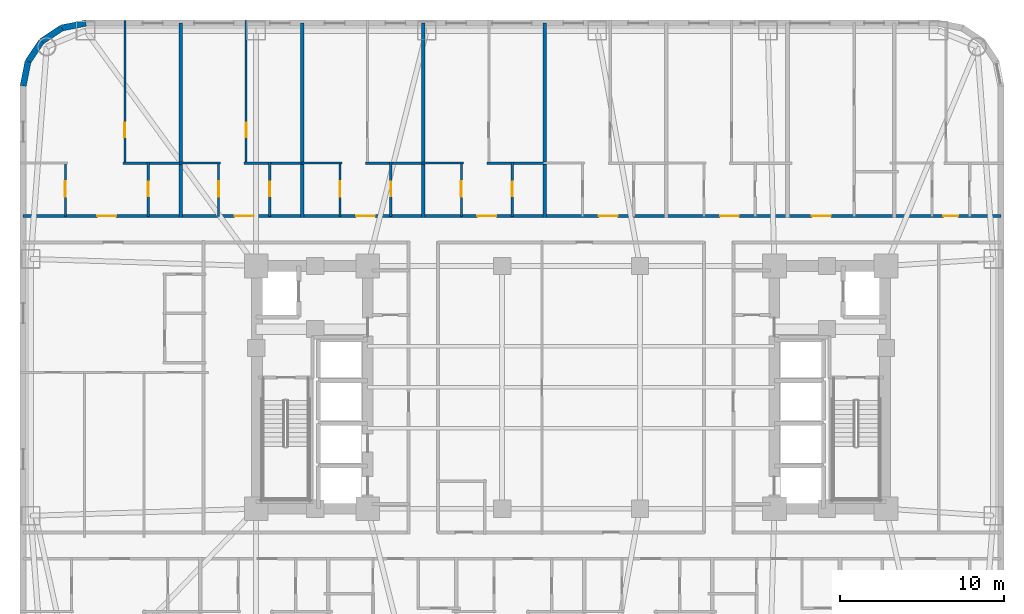
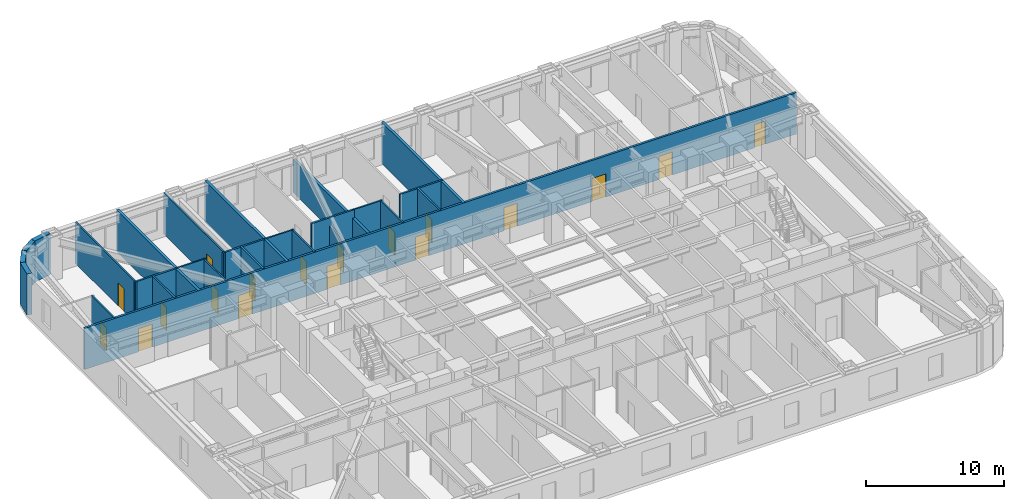
# One storey, part 7 of 11: 26 walls, 18 doors, 18 openings.
"""IFC4 building model written with IfcOpenShell, lengths in metres."""

from ifc_helpers import new_model, si_unit, direction, frame, frame_2d, origin, place, context, subcontext, project, spatial, rectangle, extrude, material, layer, layer_set, type_object, element, fill, save


model = new_model("IFC4")

# Units and contexts
model_context = context("Model", 3, precision=1e-05, world=origin(), true_north=direction((0.0, 1.0)))
body_context = subcontext(model_context, "Body", "Model", "MODEL_VIEW")
ifc_project = project(units=[si_unit("LENGTHUNIT", "METRE"), si_unit("AREAUNIT", "SQUARE_METRE"), si_unit("VOLUMEUNIT", "CUBIC_METRE"), si_unit("PLANEANGLEUNIT", "RADIAN"), si_unit("MASSUNIT", "GRAM", prefix="KILO")], contexts=[model_context])

# Site, building, storey
site_placement = place(None, origin())
site = spatial("IfcSite", under=ifc_project, at=site_placement, CompositionType="ELEMENT")
building_placement = place(site_placement, origin())
building = spatial("IfcBuilding", under=site, at=building_placement, Name="Voryun Gate Residences", CompositionType="ELEMENT")
storey_placement = place(building_placement, frame((0.0, 0.0, 57.199951171875)))
storey = spatial("IfcBuildingStorey", under=building, at=storey_placement, Name="L13", CompositionType="ELEMENT", Elevation=57.199951171875)

# Wall, openings, doors
ifc_material_1 = material(Name="Gypsum acoustic fireboard")
ifc_layer_1 = layer(ifc_material_1, 0.179931640625, Name="W_CORR_RATED_180")
ifc_layer_set_1 = layer_set([ifc_layer_1], Name="Gypsum acoustic fireboard")
wall_type_1 = type_object("IfcWallType", Name="W_CORR_RATED_180", PredefinedType="PARTITIONING", material=ifc_layer_set_1)
wall_1_placement = place(storey_placement, frame((-33.409912109375, 10.449951171875, 0.0), z_axis=(0.0, 0.0, 1.0), x_axis=(1.0, 0.0, 0.0)))
wall_1 = element("IfcWall", 1, at=wall_1_placement, inside=storey, type_object=wall_type_1, Name="Partition wall WP-L13-NCORR", PredefinedType="PARTITIONING", context=body_context, shape_type="SweptSolid", body=[
    extrude(rectangle(XDim=59.619873046875, YDim=0.179931640625, at=frame_2d((29.81005859375, 0.0))), origin(), (0.0, 0.0, 1.0), 3.650146484375),
])
opening_1_placement = place(wall_1_placement, frame((4.528564453125, 0.0, 0.0)))
opening_1 = element("IfcOpeningElement", 2, at=opening_1_placement, cuts=wall_1, Name="Opening D-UNIT-1", PredefinedType="OPENING", context=body_context, shape_type="SweptSolid", body=[
    extrude(rectangle(XDim=1.14990234375, YDim=2.050048828125, at=frame_2d((0.574951171875, 1.02490234375))), frame((0.0, 0.099853515625, 0.0), z_axis=(0.0, -1.0, 0.0), x_axis=(1.0, 0.0, 0.0)), (0.0, 0.0, 1.0), 0.199951171875),
])
opening_2_placement = place(wall_1_placement, frame((12.899169921875, 0.0, 0.0)))
opening_2 = element("IfcOpeningElement", 3, at=opening_2_placement, cuts=wall_1, Name="Opening D-UNIT-1", PredefinedType="OPENING", context=body_context, shape_type="SweptSolid", body=[
    extrude(rectangle(XDim=1.14990234375, YDim=2.050048828125, at=frame_2d((0.574951171875, 1.02490234375))), frame((0.0, 0.099853515625, 0.0), z_axis=(0.0, -1.0, 0.0), x_axis=(1.0, 0.0, 0.0)), (0.0, 0.0, 1.0), 0.199951171875),
])
opening_3_placement = place(wall_1_placement, frame((20.298095703125, 0.0, 0.0)))
opening_3 = element("IfcOpeningElement", 4, at=opening_3_placement, cuts=wall_1, Name="Opening D-UNIT-1", PredefinedType="OPENING", context=body_context, shape_type="SweptSolid", body=[
    extrude(rectangle(XDim=1.14990234375, YDim=2.050048828125, at=frame_2d((0.574951171875, 1.02490234375))), frame((0.0, 0.099853515625, 0.0), z_axis=(0.0, -1.0, 0.0), x_axis=(1.0, 0.0, 0.0)), (0.0, 0.0, 1.0), 0.199951171875),
])
opening_4_placement = place(wall_1_placement, frame((27.702880859375, 0.0, 0.0)))
opening_4 = element("IfcOpeningElement", 5, at=opening_4_placement, cuts=wall_1, Name="Opening D-UNIT-1", PredefinedType="OPENING", context=body_context, shape_type="SweptSolid", body=[
    extrude(rectangle(XDim=1.14990234375, YDim=2.050048828125, at=frame_2d((0.574951171875, 1.02490234375))), frame((0.0, 0.099853515625, 0.0), z_axis=(0.0, -1.0, 0.0), x_axis=(1.0, 0.0, 0.0)), (0.0, 0.0, 1.0), 0.199951171875),
])
opening_5_placement = place(wall_1_placement, frame((35.1015625, 0.0, 0.0)))
opening_5 = element("IfcOpeningElement", 6, at=opening_5_placement, cuts=wall_1, Name="Opening D-UNIT-1", PredefinedType="OPENING", context=body_context, shape_type="SweptSolid", body=[
    extrude(rectangle(XDim=1.14990234375, YDim=2.050048828125, at=frame_2d((0.574951171875, 1.02490234375))), frame((0.0, 0.099853515625, 0.0), z_axis=(0.0, -1.0, 0.0), x_axis=(1.0, 0.0, 0.0)), (0.0, 0.0, 1.0), 0.199951171875),
])
opening_6_placement = place(wall_1_placement, frame((42.50048828125, 0.0, 0.0)))
opening_6 = element("IfcOpeningElement", 7, at=opening_6_placement, cuts=wall_1, Name="Opening D-UNIT-1", PredefinedType="OPENING", context=body_context, shape_type="SweptSolid", body=[
    extrude(rectangle(XDim=1.14990234375, YDim=2.050048828125, at=frame_2d((0.574951171875, 1.02490234375))), frame((0.0, 0.099853515625, 0.0), z_axis=(0.0, -1.0, 0.0), x_axis=(1.0, 0.0, 0.0)), (0.0, 0.0, 1.0), 0.199951171875),
])
opening_7_placement = place(wall_1_placement, frame((48.098876953125, 0.0, 0.0)))
opening_7 = element("IfcOpeningElement", 8, at=opening_7_placement, cuts=wall_1, Name="Opening D-UNIT-1", PredefinedType="OPENING", context=body_context, shape_type="SweptSolid", body=[
    extrude(rectangle(XDim=1.14990234375, YDim=2.050048828125, at=frame_2d((0.574951171875, 1.02490234375))), frame((0.0, 0.099853515625, 0.0), z_axis=(0.0, -1.0, 0.0), x_axis=(1.0, 0.0, 0.0)), (0.0, 0.0, 1.0), 0.199951171875),
])
opening_8_placement = place(wall_1_placement, frame((56.117431640625, 0.0, 0.0)))
opening_8 = element("IfcOpeningElement", 9, at=opening_8_placement, cuts=wall_1, Name="Opening D-INT-2", PredefinedType="OPENING", context=body_context, shape_type="SweptSolid", body=[
    extrude(rectangle(XDim=0.89990234375, YDim=2.050048828125, at=frame_2d((0.449951171875, 1.02490234375))), frame((0.0, 0.099853515625, 0.0), z_axis=(0.0, -1.0, 0.0), x_axis=(1.0, 0.0, 0.0)), (0.0, 0.0, 1.0), 0.199951171875),
])
ifc_material_2 = material(Name="Architectural oak veneer")
door_type_1 = type_object("IfcDoorType", Name="DR_INT_BATH_900", OperationType="NOTDEFINED", PredefinedType="DOOR", material=ifc_material_2)
door_1_placement = place(opening_8_placement, origin())
door_1 = element("IfcDoor", 10, at=door_1_placement, inside=storey, type_object=door_type_1, Name="Door DR-L13-NENT-8", OperationType="SINGLE_SWING_RIGHT", OverallHeight=2.050048828125, OverallWidth=0.89990234375, PredefinedType="DOOR", context=body_context, shape_type="SweptSolid", body=[
    extrude(rectangle(XDim=0.89990234375, YDim=2.050048828125, at=frame_2d((0.449951171875, 1.02490234375))), frame((0.0, 0.02490234375, 0.0), z_axis=(0.0, -1.0, 0.0), x_axis=(1.0, 0.0, 0.0)), (0.0, 0.0, 1.0), 0.050048828125),
])
fill(opening_8, door_1)
ifc_material_3 = material(Name="Armoured timber-clad fire door", Category="wood")
door_type_2 = type_object("IfcDoorType", Name="DR_UNIT_ENTRY_1150", OperationType="NOTDEFINED", PredefinedType="DOOR", material=ifc_material_3)
door_2_placement = place(opening_1_placement, origin())
door_2 = element("IfcDoor", 11, at=door_2_placement, inside=storey, type_object=door_type_2, Name="Door DR-L13-NENT-1", OperationType="SINGLE_SWING_LEFT", OverallHeight=2.050048828125, OverallWidth=1.14990234375, PredefinedType="DOOR", context=body_context, shape_type="SweptSolid", body=[
    extrude(rectangle(XDim=1.14990234375, YDim=2.050048828125, at=frame_2d((0.574951171875, 1.02490234375))), frame((0.0, 0.02490234375, 0.0), z_axis=(0.0, -1.0, 0.0), x_axis=(1.0, 0.0, 0.0)), (0.0, 0.0, 1.0), 0.050048828125),
])
fill(opening_1, door_2)
door_3_placement = place(opening_2_placement, origin())
door_3 = element("IfcDoor", 12, at=door_3_placement, inside=storey, type_object=door_type_2, Name="Door DR-L13-NENT-2", OperationType="SINGLE_SWING_RIGHT", OverallHeight=2.050048828125, OverallWidth=1.14990234375, PredefinedType="DOOR", context=body_context, shape_type="SweptSolid", body=[
    extrude(rectangle(XDim=1.14990234375, YDim=2.050048828125, at=frame_2d((0.574951171875, 1.02490234375))), frame((0.0, 0.02490234375, 0.0), z_axis=(0.0, -1.0, 0.0), x_axis=(1.0, 0.0, 0.0)), (0.0, 0.0, 1.0), 0.050048828125),
])
fill(opening_2, door_3)
door_4_placement = place(opening_3_placement, origin())
door_4 = element("IfcDoor", 13, at=door_4_placement, inside=storey, type_object=door_type_2, Name="Door DR-L13-NENT-3", OperationType="SINGLE_SWING_LEFT", OverallHeight=2.050048828125, OverallWidth=1.14990234375, PredefinedType="DOOR", context=body_context, shape_type="SweptSolid", body=[
    extrude(rectangle(XDim=1.14990234375, YDim=2.050048828125, at=frame_2d((0.574951171875, 1.02490234375))), frame((0.0, 0.02490234375, 0.0), z_axis=(0.0, -1.0, 0.0), x_axis=(1.0, 0.0, 0.0)), (0.0, 0.0, 1.0), 0.050048828125),
])
fill(opening_3, door_4)
door_5_placement = place(opening_4_placement, origin())
door_5 = element("IfcDoor", 14, at=door_5_placement, inside=storey, type_object=door_type_2, Name="Door DR-L13-NENT-4", OperationType="SINGLE_SWING_RIGHT", OverallHeight=2.050048828125, OverallWidth=1.14990234375, PredefinedType="DOOR", context=body_context, shape_type="SweptSolid", body=[
    extrude(rectangle(XDim=1.14990234375, YDim=2.050048828125, at=frame_2d((0.574951171875, 1.02490234375))), frame((0.0, 0.02490234375, 0.0), z_axis=(0.0, -1.0, 0.0), x_axis=(1.0, 0.0, 0.0)), (0.0, 0.0, 1.0), 0.050048828125),
])
fill(opening_4, door_5)
door_6_placement = place(opening_5_placement, origin())
door_6 = element("IfcDoor", 15, at=door_6_placement, inside=storey, type_object=door_type_2, Name="Door DR-L13-NENT-5", OperationType="SINGLE_SWING_LEFT", OverallHeight=2.050048828125, OverallWidth=1.14990234375, PredefinedType="DOOR", context=body_context, shape_type="SweptSolid", body=[
    extrude(rectangle(XDim=1.14990234375, YDim=2.050048828125, at=frame_2d((0.574951171875, 1.02490234375))), frame((0.0, 0.02490234375, 0.0), z_axis=(0.0, -1.0, 0.0), x_axis=(1.0, 0.0, 0.0)), (0.0, 0.0, 1.0), 0.050048828125),
])
fill(opening_5, door_6)
door_7_placement = place(opening_6_placement, origin())
door_7 = element("IfcDoor", 16, at=door_7_placement, inside=storey, type_object=door_type_2, Name="Door DR-L13-NENT-6", OperationType="SINGLE_SWING_RIGHT", OverallHeight=2.050048828125, OverallWidth=1.14990234375, PredefinedType="DOOR", context=body_context, shape_type="SweptSolid", body=[
    extrude(rectangle(XDim=1.14990234375, YDim=2.050048828125, at=frame_2d((0.574951171875, 1.02490234375))), frame((0.0, 0.02490234375, 0.0), z_axis=(0.0, -1.0, 0.0), x_axis=(1.0, 0.0, 0.0)), (0.0, 0.0, 1.0), 0.050048828125),
])
fill(opening_6, door_7)
door_8_placement = place(opening_7_placement, origin())
door_8 = element("IfcDoor", 17, at=door_8_placement, inside=storey, type_object=door_type_2, Name="Door DR-L13-NENT-7", OperationType="SINGLE_SWING_LEFT", OverallHeight=2.050048828125, OverallWidth=1.14990234375, PredefinedType="DOOR", context=body_context, shape_type="SweptSolid", body=[
    extrude(rectangle(XDim=1.14990234375, YDim=2.050048828125, at=frame_2d((0.574951171875, 1.02490234375))), frame((0.0, 0.02490234375, 0.0), z_axis=(0.0, -1.0, 0.0), x_axis=(1.0, 0.0, 0.0)), (0.0, 0.0, 1.0), 0.050048828125),
])
fill(opening_7, door_8)

# Walls
ifc_material_4 = material(Name="Granite masonry", Category="masonry")
ifc_layer_2 = layer(ifc_material_4, 0.3798828125, Name="W_EXT_GRANITE_380")
ifc_layer_set_2 = layer_set([ifc_layer_2], Name="Granite masonry")
wall_type_2 = type_object("IfcWallType", Name="W_EXT_GRANITE_380", PredefinedType="ELEMENTEDWALL", material=ifc_layer_set_2)
wall_2_placement = place(storey_placement, frame((-33.409912109375, 18.38134765625, 0.0), z_axis=(0.0, 0.0, 1.0), x_axis=(0.195086038585, 0.980786132421, 0.0)))
element("IfcWall", 18, at=wall_2_placement, inside=storey, type_object=wall_type_2, Name="Exterior wall WEXT-L13-07", PredefinedType="ELEMENTEDWALL", context=body_context, shape_type="SweptSolid", body=[
    extrude(rectangle(XDim=1.504150390625, YDim=0.3798828125, at=frame_2d((0.751953125, 0.0))), origin(), (0.0, 0.0, 1.0), 3.650146484375),
])
wall_3_placement = place(storey_placement, frame((-33.116455078125, 19.856689453125, 0.0), z_axis=(0.0, 0.0, 1.0), x_axis=(0.555572577804, 0.831468045563, 0.0)))
element("IfcWall", 19, at=wall_3_placement, inside=storey, type_object=wall_type_2, Name="Exterior wall WEXT-L13-08", PredefinedType="ELEMENTEDWALL", context=body_context, shape_type="SweptSolid", body=[
    extrude(rectangle(XDim=1.48486328125, YDim=0.3798828125, at=frame_2d((0.742431640625, 0.0))), origin(), (0.0, 0.0, 1.0), 3.650146484375),
])
wall_4_placement = place(storey_placement, frame((-32.29150390625, 21.09130859375, 0.0), z_axis=(0.0, 0.0, 1.0), x_axis=(0.831442848281, 0.555610286119, 0.0)))
element("IfcWall", 20, at=wall_4_placement, inside=storey, type_object=wall_type_2, Name="Exterior wall WEXT-L13-09", PredefinedType="ELEMENTEDWALL", context=body_context, shape_type="SweptSolid", body=[
    extrude(rectangle(XDim=1.485107421875, YDim=0.3798828125, at=frame_2d((0.74267578125, 0.0))), origin(), (0.0, 0.0, 1.0), 3.650146484375),
])
wall_5_placement = place(storey_placement, frame((-31.056640625, 21.91650390625, 0.0), z_axis=(0.0, 0.0, 1.0), x_axis=(0.980786132421, 0.195086038585, 0.0)))
element("IfcWall", 21, at=wall_5_placement, inside=storey, type_object=wall_type_2, Name="Exterior wall WEXT-L13-10", PredefinedType="ELEMENTEDWALL", context=body_context, shape_type="SweptSolid", body=[
    extrude(rectangle(XDim=1.504150390625, YDim=0.3798828125, at=frame_2d((0.751953125, 0.0))), origin(), (0.0, 0.0, 1.0), 3.650146484375),
])
ifc_material_5 = material(Name="Concrete C40/50", Category="concrete")
ifc_layer_3 = layer(ifc_material_5, 0.219970703125, Name="W_PARTY_ACOUSTIC_220")
ifc_layer_set_3 = layer_set([ifc_layer_3], Name="Concrete C40/50")
wall_type_3 = type_object("IfcWallType", Name="W_PARTY_ACOUSTIC_220", PredefinedType="PARTITIONING", material=ifc_layer_set_3)
for number, where, z_axis, x_axis, name in (
    (22, (-23.800048828125, 10.3701171875, 0.0), (0.0, 0.0, 1.0), (0.0, 1.0, 0.0), "Partition wall WP-L13-NPTY-1"),
    (23, (-16.39990234375, 10.3701171875, 0.0), (0.0, 0.0, 1.0), (0.0, 1.0, 0.0), "Partition wall WP-L13-NPTY-2"),
):
    element("IfcWall", number, at=place(storey_placement, frame(where, z_axis=z_axis, x_axis=x_axis)), inside=storey, type_object=wall_type_3, Name=name, PredefinedType="PARTITIONING", context=body_context, shape_type="SweptSolid", body=[
        extrude(rectangle(XDim=11.83984375, YDim=0.219970703125, at=frame_2d((5.919921875, 0.0))), origin(), (0.0, 0.0, 1.0), 3.650146484375),
    ])
wall_6_placement = place(storey_placement, frame((-9.0, 10.3701171875, 0.0), z_axis=(0.0, 0.0, 1.0), x_axis=(0.0, 1.0, 0.0)))
element("IfcWall", 24, at=wall_6_placement, inside=storey, type_object=wall_type_3, Name="Partition wall WP-L13-NPTY-3", PredefinedType="PARTITIONING", context=body_context, shape_type="SweptSolid", body=[
    extrude(rectangle(XDim=11.83984375, YDim=0.219970703125, at=frame_2d((5.919921875, 0.0))), origin(), (0.0, 0.0, 1.0), 2.93994140625),
])
wall_7_placement = place(storey_placement, frame((-1.60009765625, 10.3701171875, 0.0), z_axis=(0.0, 0.0, 1.0), x_axis=(0.0, 1.0, 0.0)))
element("IfcWall", 25, at=wall_7_placement, inside=storey, type_object=wall_type_3, Name="Partition wall WP-L13-NPTY-4", PredefinedType="PARTITIONING", context=body_context, shape_type="SweptSolid", body=[
    extrude(rectangle(XDim=11.83984375, YDim=0.219970703125, at=frame_2d((5.919921875, 0.0))), origin(), (0.0, 0.0, 1.0), 3.650146484375),
])

# Wall, opening, door
ifc_material_6 = material(Name="Gypsum acoustic partition")
ifc_layer_4 = layer(ifc_material_6, 0.125, Name="W_UNIT_PART_125")
ifc_layer_set_4 = layer_set([ifc_layer_4], Name="Gypsum acoustic partition")
wall_type_4 = type_object("IfcWallType", Name="W_UNIT_PART_125", PredefinedType="PARTITIONING", material=ifc_layer_set_4)
wall_8_placement = place(storey_placement, frame((-27.2099609375, 13.590087890625, 0.0), z_axis=(0.0, 0.0, 1.0), x_axis=(0.0, 1.0, 0.0)))
wall_8 = element("IfcWall", 26, at=wall_8_placement, inside=storey, type_object=wall_type_4, Name="Partition wall WP-L13-N1-OVR", PredefinedType="PARTITIONING", context=body_context, shape_type="SweptSolid", body=[
    extrude(rectangle(XDim=8.77001953125, YDim=0.125, at=frame_2d((4.385009765625, 0.0))), origin(), (0.0, 0.0, 1.0), 3.650146484375),
])
opening_9_placement = place(wall_8_placement, frame((1.65478515625, 0.0, 0.0)))
opening_9 = element("IfcOpeningElement", 27, at=opening_9_placement, cuts=wall_8, Name="Opening D-INT-2", PredefinedType="OPENING", context=body_context, shape_type="SweptSolid", body=[
    extrude(rectangle(XDim=0.89990234375, YDim=2.050048828125, at=frame_2d((0.449951171875, 1.02490234375))), frame((0.0, 0.072509765625, 0.0), z_axis=(0.0, -1.0, 0.0), x_axis=(1.0, 0.0, 0.0)), (0.0, 0.0, 1.0), 0.14501953125),
])
door_9_placement = place(opening_9_placement, origin())
door_9 = element("IfcDoor", 28, at=door_9_placement, inside=storey, type_object=door_type_1, Name="Door DR-L13-N1-DMB", OperationType="SINGLE_SWING_RIGHT", OverallHeight=2.050048828125, OverallWidth=0.89990234375, PredefinedType="DOOR", context=body_context, shape_type="SweptSolid", body=[
    extrude(rectangle(XDim=0.89990234375, YDim=2.050048828125, at=frame_2d((0.449951171875, 1.02490234375))), frame((0.0, 0.02490234375, 0.0), z_axis=(0.0, -1.0, 0.0), x_axis=(1.0, 0.0, 0.0)), (0.0, 0.0, 1.0), 0.050048828125),
])
fill(opening_9, door_9)

wall_9_placement = place(storey_placement, frame((-30.8369140625, 10.429931640625, 0.0), z_axis=(0.0, 0.0, 1.0), x_axis=(0.0, 1.0, 0.0)))
wall_9 = element("IfcWall", 29, at=wall_9_placement, inside=storey, type_object=wall_type_4, Name="Partition wall WP-L13-N1-IVK", PredefinedType="PARTITIONING", context=body_context, shape_type="SweptSolid", body=[
    extrude(rectangle(XDim=3.320068359375, YDim=0.125, at=frame_2d((1.66015625, 0.0))), origin(), (0.0, 0.0, 1.0), 3.650146484375),
])
opening_10_placement = place(wall_9_placement, frame((1.18505859375, 0.0, 0.0)))
opening_10 = element("IfcOpeningElement", 30, at=opening_10_placement, cuts=wall_9, Name="Opening D-INT-1", PredefinedType="OPENING", context=body_context, shape_type="SweptSolid", body=[
    extrude(rectangle(XDim=0.949951171875, YDim=2.050048828125, at=frame_2d((0.47509765625, 1.02490234375))), frame((0.0, 0.072509765625, 0.0), z_axis=(0.0, -1.0, 0.0), x_axis=(1.0, 0.0, 0.0)), (0.0, 0.0, 1.0), 0.14501953125),
])
ifc_material_7 = material(Name="Architectural oak veneer")
door_type_3 = type_object("IfcDoorType", Name="DR_INT_ROOM_950", OperationType="NOTDEFINED", PredefinedType="DOOR", material=ifc_material_7)
door_10_placement = place(opening_10_placement, origin())
door_10 = element("IfcDoor", 31, at=door_10_placement, inside=storey, type_object=door_type_3, Name="Door DR-L13-N1-DK", OperationType="SINGLE_SWING_LEFT", OverallHeight=2.050048828125, OverallWidth=0.949951171875, PredefinedType="DOOR", context=body_context, shape_type="SweptSolid", body=[
    extrude(rectangle(XDim=0.949951171875, YDim=2.050048828125, at=frame_2d((0.47509765625, 1.02490234375))), frame((0.0, 0.02490234375, 0.0), z_axis=(0.0, -1.0, 0.0), x_axis=(1.0, 0.0, 0.0)), (0.0, 0.0, 1.0), 0.050048828125),
])
fill(opening_10, door_10)

wall_10_placement = place(storey_placement, frame((-19.81005859375, 13.590087890625, 0.0), z_axis=(0.0, 0.0, 1.0), x_axis=(0.0, 1.0, 0.0)))
wall_10 = element("IfcWall", 32, at=wall_10_placement, inside=storey, type_object=wall_type_4, Name="Partition wall WP-L13-N2-OVR", PredefinedType="PARTITIONING", context=body_context, shape_type="SweptSolid", body=[
    extrude(rectangle(XDim=8.77001953125, YDim=0.125, at=frame_2d((4.385009765625, 0.0))), origin(), (0.0, 0.0, 1.0), 3.650146484375),
])
opening_11_placement = place(wall_10_placement, frame((1.65478515625, 0.0, 0.0)))
opening_11 = element("IfcOpeningElement", 33, at=opening_11_placement, cuts=wall_10, Name="Opening D-INT-2", PredefinedType="OPENING", context=body_context, shape_type="SweptSolid", body=[
    extrude(rectangle(XDim=0.89990234375, YDim=2.050048828125, at=frame_2d((0.449951171875, 1.02490234375))), frame((0.0, 0.072509765625, 0.0), z_axis=(0.0, -1.0, 0.0), x_axis=(1.0, 0.0, 0.0)), (0.0, 0.0, 1.0), 0.14501953125),
])
door_11_placement = place(opening_11_placement, origin())
door_11 = element("IfcDoor", 34, at=door_11_placement, inside=storey, type_object=door_type_1, Name="Door DR-L13-N2-DMB", OperationType="SINGLE_SWING_RIGHT", OverallHeight=2.050048828125, OverallWidth=0.89990234375, PredefinedType="DOOR", context=body_context, shape_type="SweptSolid", body=[
    extrude(rectangle(XDim=0.89990234375, YDim=2.050048828125, at=frame_2d((0.449951171875, 1.02490234375))), frame((0.0, 0.02490234375, 0.0), z_axis=(0.0, -1.0, 0.0), x_axis=(1.0, 0.0, 0.0)), (0.0, 0.0, 1.0), 0.050048828125),
])
fill(opening_11, door_11)

wall_11_placement = place(storey_placement, frame((-21.489990234375, 10.429931640625, 0.0), z_axis=(0.0, 0.0, 1.0), x_axis=(0.0, 1.0, 0.0)))
wall_11 = element("IfcWall", 35, at=wall_11_placement, inside=storey, type_object=wall_type_4, Name="Partition wall WP-L13-N2-IVK", PredefinedType="PARTITIONING", context=body_context, shape_type="SweptSolid", body=[
    extrude(rectangle(XDim=3.320068359375, YDim=0.125, at=frame_2d((1.66015625, 0.0))), origin(), (0.0, 0.0, 1.0), 3.650146484375),
])
opening_12_placement = place(wall_11_placement, frame((1.18505859375, 0.0, 0.0)))
opening_12 = element("IfcOpeningElement", 36, at=opening_12_placement, cuts=wall_11, Name="Opening D-INT-1", PredefinedType="OPENING", context=body_context, shape_type="SweptSolid", body=[
    extrude(rectangle(XDim=0.949951171875, YDim=2.050048828125, at=frame_2d((0.47509765625, 1.02490234375))), frame((0.0, 0.072509765625, 0.0), z_axis=(0.0, -1.0, 0.0), x_axis=(1.0, 0.0, 0.0)), (0.0, 0.0, 1.0), 0.14501953125),
])
door_12_placement = place(opening_12_placement, origin())
door_12 = element("IfcDoor", 37, at=door_12_placement, inside=storey, type_object=door_type_3, Name="Door DR-L13-N2-DK", OperationType="SINGLE_SWING_LEFT", OverallHeight=2.050048828125, OverallWidth=0.949951171875, PredefinedType="DOOR", context=body_context, shape_type="SweptSolid", body=[
    extrude(rectangle(XDim=0.949951171875, YDim=2.050048828125, at=frame_2d((0.47509765625, 1.02490234375))), frame((0.0, 0.02490234375, 0.0), z_axis=(0.0, -1.0, 0.0), x_axis=(1.0, 0.0, 0.0)), (0.0, 0.0, 1.0), 0.050048828125),
])
fill(opening_12, door_12)

# Wall
wall_12_placement = place(storey_placement, frame((-23.875, 13.669921875, 0.0), z_axis=(0.0, 0.0, 1.0), x_axis=(1.0, 0.0, 0.0)))
element("IfcWall", 38, at=wall_12_placement, inside=storey, type_object=wall_type_4, Name="Partition wall WP-L13-N2-HZK", PredefinedType="PARTITIONING", context=body_context, shape_type="SweptSolid", body=[
    extrude(rectangle(XDim=2.5048828125, YDim=0.125, at=frame_2d((1.25244140625, 0.0))), origin(), (0.0, 0.0, 1.0), 3.650146484375),
])

# Wall, opening, door
wall_13_placement = place(storey_placement, frame((-14.090087890625, 10.429931640625, 0.0), z_axis=(0.0, 0.0, 1.0), x_axis=(0.0, 1.0, 0.0)))
wall_13 = element("IfcWall", 39, at=wall_13_placement, inside=storey, type_object=wall_type_4, Name="Partition wall WP-L13-N3-IVK", PredefinedType="PARTITIONING", context=body_context, shape_type="SweptSolid", body=[
    extrude(rectangle(XDim=3.320068359375, YDim=0.125, at=frame_2d((1.66015625, 0.0))), origin(), (0.0, 0.0, 1.0), 3.650146484375),
])
opening_13_placement = place(wall_13_placement, frame((1.18505859375, 0.0, 0.0)))
opening_13 = element("IfcOpeningElement", 40, at=opening_13_placement, cuts=wall_13, Name="Opening D-INT-1", PredefinedType="OPENING", context=body_context, shape_type="SweptSolid", body=[
    extrude(rectangle(XDim=0.949951171875, YDim=2.050048828125, at=frame_2d((0.47509765625, 1.02490234375))), frame((0.0, 0.072509765625, 0.0), z_axis=(0.0, -1.0, 0.0), x_axis=(1.0, 0.0, 0.0)), (0.0, 0.0, 1.0), 0.14501953125),
])
door_13_placement = place(opening_13_placement, origin())
door_13 = element("IfcDoor", 41, at=door_13_placement, inside=storey, type_object=door_type_3, Name="Door DR-L13-N3-DK", OperationType="SINGLE_SWING_LEFT", OverallHeight=2.050048828125, OverallWidth=0.949951171875, PredefinedType="DOOR", context=body_context, shape_type="SweptSolid", body=[
    extrude(rectangle(XDim=0.949951171875, YDim=2.050048828125, at=frame_2d((0.47509765625, 1.02490234375))), frame((0.0, 0.02490234375, 0.0), z_axis=(0.0, -1.0, 0.0), x_axis=(1.0, 0.0, 0.0)), (0.0, 0.0, 1.0), 0.050048828125),
])
fill(opening_13, door_13)

# Wall
wall_14_placement = place(storey_placement, frame((-16.47509765625, 13.669921875, 0.0), z_axis=(0.0, 0.0, 1.0), x_axis=(1.0, 0.0, 0.0)))
element("IfcWall", 42, at=wall_14_placement, inside=storey, type_object=wall_type_4, Name="Partition wall WP-L13-N3-HZK", PredefinedType="PARTITIONING", context=body_context, shape_type="SweptSolid", body=[
    extrude(rectangle(XDim=2.505126953125, YDim=0.125, at=frame_2d((1.25244140625, 0.0))), origin(), (0.0, 0.0, 1.0), 3.650146484375),
])

# Wall, opening, door
wall_15_placement = place(storey_placement, frame((-6.68994140625, 10.429931640625, 0.0), z_axis=(0.0, 0.0, 1.0), x_axis=(0.0, 1.0, 0.0)))
wall_15 = element("IfcWall", 43, at=wall_15_placement, inside=storey, type_object=wall_type_4, Name="Partition wall WP-L13-N4-IVK", PredefinedType="PARTITIONING", context=body_context, shape_type="SweptSolid", body=[
    extrude(rectangle(XDim=3.320068359375, YDim=0.125, at=frame_2d((1.66015625, 0.0))), origin(), (0.0, 0.0, 1.0), 3.650146484375),
])
opening_14_placement = place(wall_15_placement, frame((1.18505859375, 0.0, 0.0)))
opening_14 = element("IfcOpeningElement", 44, at=opening_14_placement, cuts=wall_15, Name="Opening D-INT-1", PredefinedType="OPENING", context=body_context, shape_type="SweptSolid", body=[
    extrude(rectangle(XDim=0.949951171875, YDim=2.050048828125, at=frame_2d((0.47509765625, 1.02490234375))), frame((0.0, 0.072509765625, 0.0), z_axis=(0.0, -1.0, 0.0), x_axis=(1.0, 0.0, 0.0)), (0.0, 0.0, 1.0), 0.14501953125),
])
door_14_placement = place(opening_14_placement, origin())
door_14 = element("IfcDoor", 45, at=door_14_placement, inside=storey, type_object=door_type_3, Name="Door DR-L13-N4-DK", OperationType="SINGLE_SWING_LEFT", OverallHeight=2.050048828125, OverallWidth=0.949951171875, PredefinedType="DOOR", context=body_context, shape_type="SweptSolid", body=[
    extrude(rectangle(XDim=0.949951171875, YDim=2.050048828125, at=frame_2d((0.47509765625, 1.02490234375))), frame((0.0, 0.02490234375, 0.0), z_axis=(0.0, -1.0, 0.0), x_axis=(1.0, 0.0, 0.0)), (0.0, 0.0, 1.0), 0.050048828125),
])
fill(opening_14, door_14)

# Walls
wall_16_placement = place(storey_placement, frame((-9.074951171875, 13.669921875, 0.0), z_axis=(0.0, 0.0, 1.0), x_axis=(1.0, 0.0, 0.0)))
element("IfcWall", 46, at=wall_16_placement, inside=storey, type_object=wall_type_4, Name="Partition wall WP-L13-N4-HZK", PredefinedType="PARTITIONING", context=body_context, shape_type="SweptSolid", body=[
    extrude(rectangle(XDim=2.5048828125, YDim=0.125, at=frame_2d((1.25244140625, 0.0))), origin(), (0.0, 0.0, 1.0), 3.650146484375),
])
ifc_material_8 = material(Name="Gypsum moisture-resistant partition")
ifc_layer_5 = layer(ifc_material_8, 0.14990234375, Name="W_WET_PLUMB_150")
ifc_layer_set_5 = layer_set([ifc_layer_5], Name="Gypsum moisture-resistant partition")
wall_type_5 = type_object("IfcWallType", Name="W_WET_PLUMB_150", PredefinedType="PLUMBINGWALL", material=ifc_layer_set_5)
wall_17_placement = place(storey_placement, frame((-27.330078125, 13.669921875, 0.0), z_axis=(0.0, 0.0, 1.0), x_axis=(1.0, 0.0, 0.0)))
element("IfcWall", 47, at=wall_17_placement, inside=storey, type_object=wall_type_5, Name="Partition wall WP-L13-N1-HZB", PredefinedType="PLUMBINGWALL", context=body_context, shape_type="SweptSolid", body=[
    extrude(rectangle(XDim=3.60498046875, YDim=0.14990234375, at=frame_2d((1.802490234375, 0.0))), origin(), (0.0, 0.0, 1.0), 3.650146484375),
])

# Wall, opening, door
wall_18_placement = place(storey_placement, frame((-25.780029296875, 10.429931640625, 0.0), z_axis=(0.0, 0.0, 1.0), x_axis=(0.0, 1.0, 0.0)))
wall_18 = element("IfcWall", 48, at=wall_18_placement, inside=storey, type_object=wall_type_5, Name="Partition wall WP-L13-N1-IVB", PredefinedType="PLUMBINGWALL", context=body_context, shape_type="SweptSolid", body=[
    extrude(rectangle(XDim=3.320068359375, YDim=0.14990234375, at=frame_2d((1.66015625, 0.0))), origin(), (0.0, 0.0, 1.0), 3.650146484375),
])
opening_15_placement = place(wall_18_placement, frame((1.2099609375, 0.0, 0.0)))
opening_15 = element("IfcOpeningElement", 49, at=opening_15_placement, cuts=wall_18, Name="Opening D-INT-2", PredefinedType="OPENING", context=body_context, shape_type="SweptSolid", body=[
    extrude(rectangle(XDim=0.89990234375, YDim=2.050048828125, at=frame_2d((0.449951171875, 1.02490234375))), frame((0.0, 0.0849609375, 0.0), z_axis=(0.0, -1.0, 0.0), x_axis=(1.0, 0.0, 0.0)), (0.0, 0.0, 1.0), 0.169921875),
])
door_15_placement = place(opening_15_placement, origin())
door_15 = element("IfcDoor", 50, at=door_15_placement, inside=storey, type_object=door_type_1, Name="Door DR-L13-N1-DB", OperationType="SINGLE_SWING_RIGHT", OverallHeight=2.050048828125, OverallWidth=0.89990234375, PredefinedType="DOOR", context=body_context, shape_type="SweptSolid", body=[
    extrude(rectangle(XDim=0.89990234375, YDim=2.050048828125, at=frame_2d((0.449951171875, 1.02490234375))), frame((0.0, 0.02490234375, 0.0), z_axis=(0.0, -1.0, 0.0), x_axis=(1.0, 0.0, 0.0)), (0.0, 0.0, 1.0), 0.050048828125),
])
fill(opening_15, door_15)

# Wall
wall_19_placement = place(storey_placement, frame((-19.929931640625, 13.669921875, 0.0), z_axis=(0.0, 0.0, 1.0), x_axis=(1.0, 0.0, 0.0)))
element("IfcWall", 51, at=wall_19_placement, inside=storey, type_object=wall_type_5, Name="Partition wall WP-L13-N2-HZB", PredefinedType="PLUMBINGWALL", context=body_context, shape_type="SweptSolid", body=[
    extrude(rectangle(XDim=3.60498046875, YDim=0.14990234375, at=frame_2d((1.802490234375, 0.0))), origin(), (0.0, 0.0, 1.0), 3.650146484375),
])

# Wall, opening, door
wall_20_placement = place(storey_placement, frame((-18.3798828125, 10.429931640625, 0.0), z_axis=(0.0, 0.0, 1.0), x_axis=(0.0, 1.0, 0.0)))
wall_20 = element("IfcWall", 52, at=wall_20_placement, inside=storey, type_object=wall_type_5, Name="Partition wall WP-L13-N2-IVB", PredefinedType="PLUMBINGWALL", context=body_context, shape_type="SweptSolid", body=[
    extrude(rectangle(XDim=3.320068359375, YDim=0.14990234375, at=frame_2d((1.66015625, 0.0))), origin(), (0.0, 0.0, 1.0), 3.650146484375),
])
opening_16_placement = place(wall_20_placement, frame((1.2099609375, 0.0, 0.0)))
opening_16 = element("IfcOpeningElement", 53, at=opening_16_placement, cuts=wall_20, Name="Opening D-INT-2", PredefinedType="OPENING", context=body_context, shape_type="SweptSolid", body=[
    extrude(rectangle(XDim=0.89990234375, YDim=2.050048828125, at=frame_2d((0.449951171875, 1.02490234375))), frame((0.0, 0.0849609375, 0.0), z_axis=(0.0, -1.0, 0.0), x_axis=(1.0, 0.0, 0.0)), (0.0, 0.0, 1.0), 0.169921875),
])
door_16_placement = place(opening_16_placement, origin())
door_16 = element("IfcDoor", 54, at=door_16_placement, inside=storey, type_object=door_type_1, Name="Door DR-L13-N2-DB", OperationType="SINGLE_SWING_RIGHT", OverallHeight=2.050048828125, OverallWidth=0.89990234375, PredefinedType="DOOR", context=body_context, shape_type="SweptSolid", body=[
    extrude(rectangle(XDim=0.89990234375, YDim=2.050048828125, at=frame_2d((0.449951171875, 1.02490234375))), frame((0.0, 0.02490234375, 0.0), z_axis=(0.0, -1.0, 0.0), x_axis=(1.0, 0.0, 0.0)), (0.0, 0.0, 1.0), 0.050048828125),
])
fill(opening_16, door_16)

# Wall
wall_21_placement = place(storey_placement, frame((-12.530029296875, 13.669921875, 0.0), z_axis=(0.0, 0.0, 1.0), x_axis=(1.0, 0.0, 0.0)))
element("IfcWall", 55, at=wall_21_placement, inside=storey, type_object=wall_type_5, Name="Partition wall WP-L13-N3-HZB", PredefinedType="PLUMBINGWALL", context=body_context, shape_type="SweptSolid", body=[
    extrude(rectangle(XDim=3.60498046875, YDim=0.14990234375, at=frame_2d((1.802490234375, 0.0))), origin(), (0.0, 0.0, 1.0), 3.650146484375),
])

# Wall, opening, door
wall_22_placement = place(storey_placement, frame((-10.97998046875, 10.429931640625, 0.0), z_axis=(0.0, 0.0, 1.0), x_axis=(0.0, 1.0, 0.0)))
wall_22 = element("IfcWall", 56, at=wall_22_placement, inside=storey, type_object=wall_type_5, Name="Partition wall WP-L13-N3-IVB", PredefinedType="PLUMBINGWALL", context=body_context, shape_type="SweptSolid", body=[
    extrude(rectangle(XDim=3.320068359375, YDim=0.14990234375, at=frame_2d((1.66015625, 0.0))), origin(), (0.0, 0.0, 1.0), 2.93994140625),
])
opening_17_placement = place(wall_22_placement, frame((1.2099609375, 0.0, 0.0)))
opening_17 = element("IfcOpeningElement", 57, at=opening_17_placement, cuts=wall_22, Name="Opening D-INT-2", PredefinedType="OPENING", context=body_context, shape_type="SweptSolid", body=[
    extrude(rectangle(XDim=0.89990234375, YDim=2.050048828125, at=frame_2d((0.449951171875, 1.02490234375))), frame((0.0, 0.0849609375, 0.0), z_axis=(0.0, -1.0, 0.0), x_axis=(1.0, 0.0, 0.0)), (0.0, 0.0, 1.0), 0.169921875),
])
door_17_placement = place(opening_17_placement, origin())
door_17 = element("IfcDoor", 58, at=door_17_placement, inside=storey, type_object=door_type_1, Name="Door DR-L13-N3-DB", OperationType="SINGLE_SWING_RIGHT", OverallHeight=2.050048828125, OverallWidth=0.89990234375, PredefinedType="DOOR", context=body_context, shape_type="SweptSolid", body=[
    extrude(rectangle(XDim=0.89990234375, YDim=2.050048828125, at=frame_2d((0.449951171875, 1.02490234375))), frame((0.0, 0.02490234375, 0.0), z_axis=(0.0, -1.0, 0.0), x_axis=(1.0, 0.0, 0.0)), (0.0, 0.0, 1.0), 0.050048828125),
])
fill(opening_17, door_17)

# Wall
wall_23_placement = place(storey_placement, frame((-5.1298828125, 13.669921875, 0.0), z_axis=(0.0, 0.0, 1.0), x_axis=(1.0, 0.0, 0.0)))
element("IfcWall", 59, at=wall_23_placement, inside=storey, type_object=wall_type_5, Name="Partition wall WP-L13-N4-HZB", PredefinedType="PLUMBINGWALL", context=body_context, shape_type="SweptSolid", body=[
    extrude(rectangle(XDim=3.60498046875, YDim=0.14990234375, at=frame_2d((1.802490234375, 0.0))), origin(), (0.0, 0.0, 1.0), 3.650146484375),
])

# Wall, opening, door
wall_24_placement = place(storey_placement, frame((-3.580078125, 10.429931640625, 0.0), z_axis=(0.0, 0.0, 1.0), x_axis=(0.0, 1.0, 0.0)))
wall_24 = element("IfcWall", 60, at=wall_24_placement, inside=storey, type_object=wall_type_5, Name="Partition wall WP-L13-N4-IVB", PredefinedType="PLUMBINGWALL", context=body_context, shape_type="SweptSolid", body=[
    extrude(rectangle(XDim=3.320068359375, YDim=0.14990234375, at=frame_2d((1.66015625, 0.0))), origin(), (0.0, 0.0, 1.0), 3.650146484375),
])
opening_18_placement = place(wall_24_placement, frame((1.2099609375, 0.0, 0.0)))
opening_18 = element("IfcOpeningElement", 61, at=opening_18_placement, cuts=wall_24, Name="Opening D-INT-2", PredefinedType="OPENING", context=body_context, shape_type="SweptSolid", body=[
    extrude(rectangle(XDim=0.89990234375, YDim=2.050048828125, at=frame_2d((0.449951171875, 1.02490234375))), frame((0.0, 0.0849609375, 0.0), z_axis=(0.0, -1.0, 0.0), x_axis=(1.0, 0.0, 0.0)), (0.0, 0.0, 1.0), 0.169921875),
])
door_18_placement = place(opening_18_placement, origin())
door_18 = element("IfcDoor", 62, at=door_18_placement, inside=storey, type_object=door_type_1, Name="Door DR-L13-N4-DB", OperationType="SINGLE_SWING_RIGHT", OverallHeight=2.050048828125, OverallWidth=0.89990234375, PredefinedType="DOOR", context=body_context, shape_type="SweptSolid", body=[
    extrude(rectangle(XDim=0.89990234375, YDim=2.050048828125, at=frame_2d((0.449951171875, 1.02490234375))), frame((0.0, 0.02490234375, 0.0), z_axis=(0.0, -1.0, 0.0), x_axis=(1.0, 0.0, 0.0)), (0.0, 0.0, 1.0), 0.050048828125),
])
fill(opening_18, door_18)

save(model, "model.ifc")
